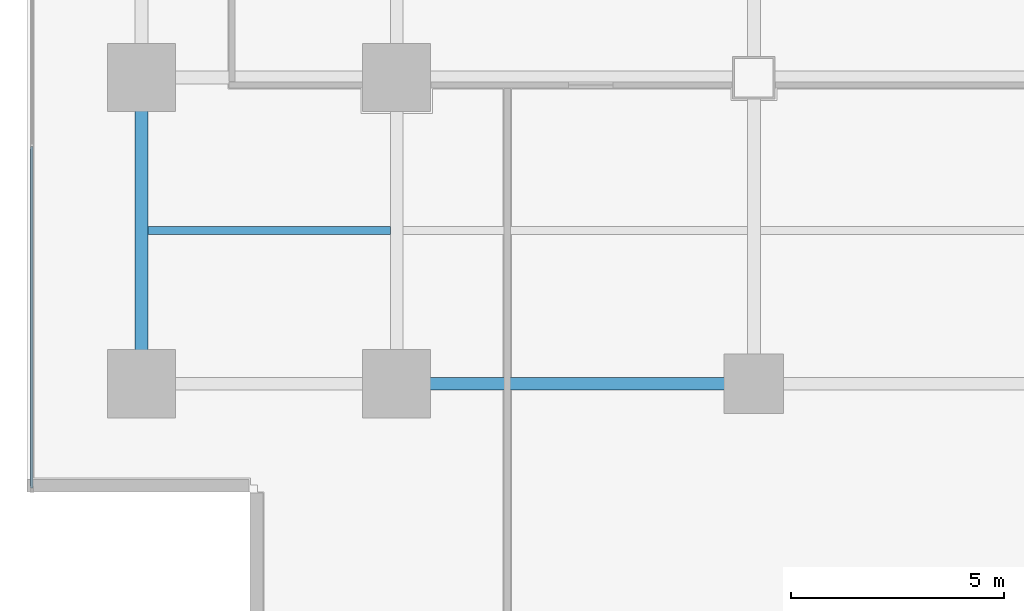
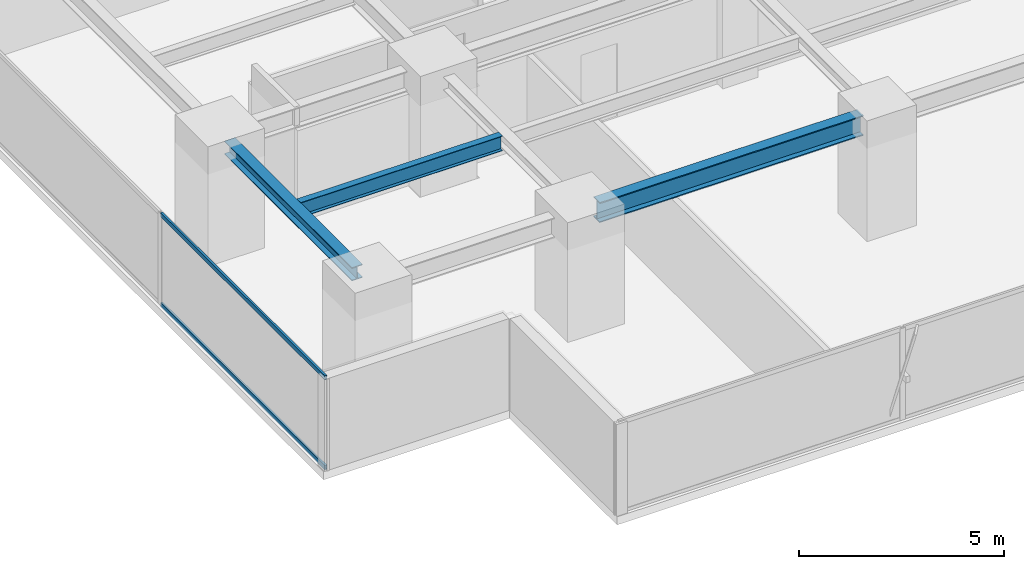
# One storey, part 3 of 36: 3 beams, 2 members, 1 element without a shape of its own.
"""IFC4 building model written with IfcOpenShell, lengths in metres."""

from ifc_helpers import new_model, si_unit, direction, frame, origin, origin_2d, place, context, subcontext, project, spatial, hollow_rectangle, i_section, extrude, source, transform, mapped, material, layer, layer_set, material_profile, profile_set, type_object, element, aggregate, save


model = new_model("IFC4")

# Units and contexts
model_context = context("Model", 3, precision=1e-05, world=origin(), true_north=direction((0.0, 1.0)))
body_context = subcontext(model_context, "Body", "Model", "MODEL_VIEW")
ifc_project = project(units=[si_unit("LENGTHUNIT", "METRE"), si_unit("AREAUNIT", "SQUARE_METRE"), si_unit("VOLUMEUNIT", "CUBIC_METRE"), si_unit("PLANEANGLEUNIT", "RADIAN"), si_unit("MASSUNIT", "GRAM", prefix="KILO")], contexts=[model_context])

# Site, building, storey
site_placement = place(None, origin())
site = spatial("IfcSite", under=ifc_project, at=site_placement, CompositionType="ELEMENT")
building_placement = place(site_placement, origin())
building = spatial("IfcBuilding", under=site, at=building_placement, Name="Sumidabori Civic Tower", CompositionType="ELEMENT")
storey_placement = place(building_placement, frame((0.0, 0.0, 92.0)))
storey = spatial("IfcBuildingStorey", under=building, at=storey_placement, Name="L23", CompositionType="ELEMENT", Elevation=92.0)

# Beams
ifc_material_1 = material(Name="Steel SN490", Category="steel")
ifc_material_profile_1 = material_profile(ifc_material_1, i_section(OverallWidth=0.300048828125, OverallDepth=0.60009765625, WebThickness=0.015380859375, FlangeThickness=0.030029296875, at=origin_2d()), Name="HE 600 B")
ifc_profile_set_1 = profile_set([ifc_material_profile_1], Name="Steel SN490")
beam_type_1 = type_object("IfcBeamType", Name="BM-GIRD-600", PredefinedType="BEAM", material=ifc_profile_set_1)
shared_shape_1 = source(origin(), body_context, "Body", "SweptSolid", [
    extrude(i_section(OverallWidth=0.300048828125, OverallDepth=0.60009765625, WebThickness=0.015380859375, FlangeThickness=0.030029296875, at=origin_2d()), origin(), (0.0, 0.0, 1.0), 7.440185546875),
])
beam_1_placement = place(storey_placement, frame((-16.320068359375, -18.0, 3.06005859375), z_axis=(1.0, 0.0, 0.0), x_axis=(0.0, 1.0, 0.0)))
element("IfcBeam", 1, at=beam_1_placement, inside=storey, type_object=beam_type_1, Name="Primary Girder L23 GX-02", PredefinedType="BEAM", context=body_context, shape_type="MappedRepresentation", body=[
    mapped(shared_shape_1, transform((0.0, 0.0, 0.0), x_axis=(1.0, 0.0, 0.0), y_axis=(0.0, 1.0, 0.0), z_axis=(0.0, 0.0, 1.0), scale=1.0)),
])
ifc_material_profile_2 = material_profile(ifc_material_1, i_section(OverallWidth=0.300048828125, OverallDepth=0.39990234375, WebThickness=0.013427734375, FlangeThickness=0.02392578125, at=origin_2d()), Name="HE 400 B")
ifc_profile_set_2 = profile_set([ifc_material_profile_2], Name="Steel SN490")
beam_type_2 = type_object("IfcBeamType", Name="BM-GIRD-400", PredefinedType="BEAM", material=ifc_profile_set_2)
shared_shape_2 = source(origin(), body_context, "Body", "SweptSolid", [
    extrude(i_section(OverallWidth=0.300048828125, OverallDepth=0.39990234375, WebThickness=0.013427734375, FlangeThickness=0.02392578125, at=origin_2d()), origin(), (0.0, 0.0, 1.0), 6.239990234375),
])
beam_2_placement = place(storey_placement, frame((-22.800048828125, -17.52001953125, 3.159912109375), z_axis=(0.0, 1.0, 0.0), x_axis=(-1.0, 0.0, 0.0)))
element("IfcBeam", 2, at=beam_2_placement, inside=storey, type_object=beam_type_2, Name="Primary Girder L23 GY-21", PredefinedType="BEAM", context=body_context, shape_type="MappedRepresentation", body=[
    mapped(shared_shape_2, transform((0.0, 0.0, 0.0), x_axis=(1.0, 0.0, 0.0), y_axis=(0.0, 1.0, 0.0), z_axis=(0.0, 0.0, 1.0), scale=1.0)),
])
ifc_material_profile_3 = material_profile(ifc_material_1, i_section(OverallWidth=0.18994140625, OverallDepth=0.449951171875, WebThickness=0.009521484375, FlangeThickness=0.0146484375, at=origin_2d()), Name="IPE 450")
ifc_profile_set_3 = profile_set([ifc_material_profile_3], Name="Steel SN490")
beam_type_3 = type_object("IfcBeamType", Name="BM-JST-450", PredefinedType="JOIST", material=ifc_profile_set_3)
shared_shape_3 = source(origin(), body_context, "Body", "SweptSolid", [
    extrude(i_section(OverallWidth=0.18994140625, OverallDepth=0.449951171875, WebThickness=0.009521484375, FlangeThickness=0.0146484375, at=origin_2d()), origin(), (0.0, 0.0, 1.0), 5.699951171875),
])
beam_3_placement = place(storey_placement, frame((-22.64990234375, -14.39990234375, 3.135009765625), z_axis=(1.0, 0.0, 0.0), x_axis=(0.0, 1.0, 0.0)))
element("IfcBeam", 3, at=beam_3_placement, inside=storey, type_object=beam_type_3, Name="Outer Bay Floor Joist L23 JSTO-51", PredefinedType="JOIST", context=body_context, shape_type="MappedRepresentation", body=[
    mapped(shared_shape_3, transform((0.0, 0.0, 0.0), x_axis=(1.0, 0.0, 0.0), y_axis=(0.0, 1.0, 0.0), z_axis=(0.0, 0.0, 1.0), scale=1.0)),
])

# Curtain wall, members
ifc_material_2 = material(Name="Anodised Bronze Aluminium AW-6063-T6", Category="aluminium")
ifc_layer = layer(ifc_material_2, 0.179931640625, Name="Anodised Bronze Aluminium AW-6063-T6")
ifc_layer_set = layer_set([ifc_layer], Name="Anodised Bronze Aluminium AW-6063-T6")
curtain_wall_type = type_object("IfcCurtainWallType", Name="CW-SYS-3", PredefinedType="NOTDEFINED", material=ifc_layer_set)
curtain_wall_placement = place(storey_placement, origin())
curtain_wall = element("IfcCurtainWall", 4, at=curtain_wall_placement, inside=storey, type_object=curtain_wall_type, Name="Curtain Wall CW:L23:R10", PredefinedType="NOTDEFINED")
ifc_material_profile_4 = material_profile(ifc_material_2, hollow_rectangle(XDim=0.06005859375, YDim=0.1298828125, WallThickness=0.0048828125, at=origin_2d()), Name="ALU TRANSOM 130x60")
ifc_profile_set_4 = profile_set([ifc_material_profile_4], Name="Anodised Bronze Aluminium AW-6063-T6")
member_type = type_object("IfcMemberType", Name="CW-TRN-130", PredefinedType="USERDEFINED", material=ifc_profile_set_4)
shared_shape_4 = source(origin(), body_context, "Body", "SweptSolid", [
    extrude(hollow_rectangle(XDim=0.06005859375, YDim=0.1298828125, WallThickness=0.0048828125, at=origin_2d()), origin(), (0.0, 0.0, 1.0), 8.030517578125),
])
member_1_placement = place(storey_placement, frame((-25.3798828125, -12.424560546875, 0.030029296875), z_axis=(0.0, -1.0, 0.0), x_axis=(1.0, 0.0, 0.0)))
member_1 = element("IfcMember", 5, at=member_1_placement, type_object=member_type, Name="CW-3 transom 5.1", ObjectType="TRANSOM", PredefinedType="USERDEFINED", context=body_context, shape_type="MappedRepresentation", body=[
    mapped(shared_shape_4, transform((0.0, 0.0, 0.0), x_axis=(1.0, 0.0, 0.0), y_axis=(0.0, 1.0, 0.0), z_axis=(0.0, 0.0, 1.0), scale=1.0)),
])
member_2_placement = place(storey_placement, frame((-25.3798828125, -12.424560546875, 2.7099609375), z_axis=(0.0, -1.0, 0.0), x_axis=(1.0, 0.0, 0.0)))
member_2 = element("IfcMember", 6, at=member_2_placement, type_object=member_type, Name="CW-3 transom 5.2", ObjectType="TRANSOM", PredefinedType="USERDEFINED", context=body_context, shape_type="MappedRepresentation", body=[
    mapped(shared_shape_4, transform((0.0, 0.0, 0.0), x_axis=(1.0, 0.0, 0.0), y_axis=(0.0, 1.0, 0.0), z_axis=(0.0, 0.0, 1.0), scale=1.0)),
])
aggregate(curtain_wall, [member_1, member_2])

save(model, "model.ifc")
